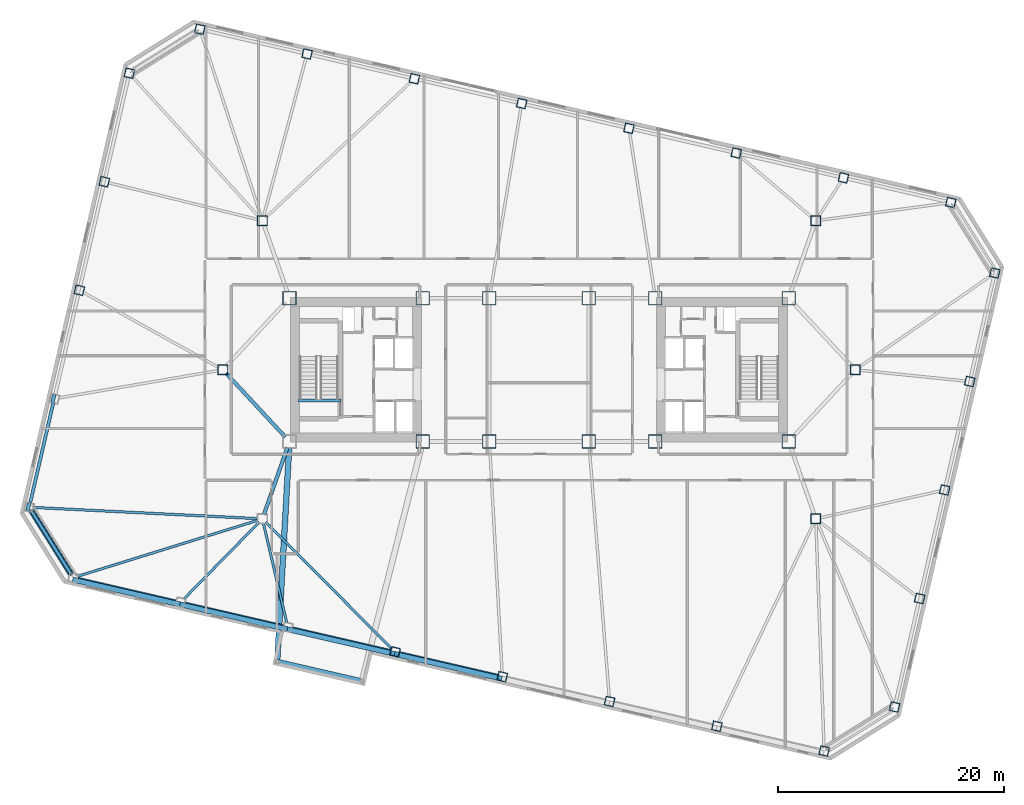
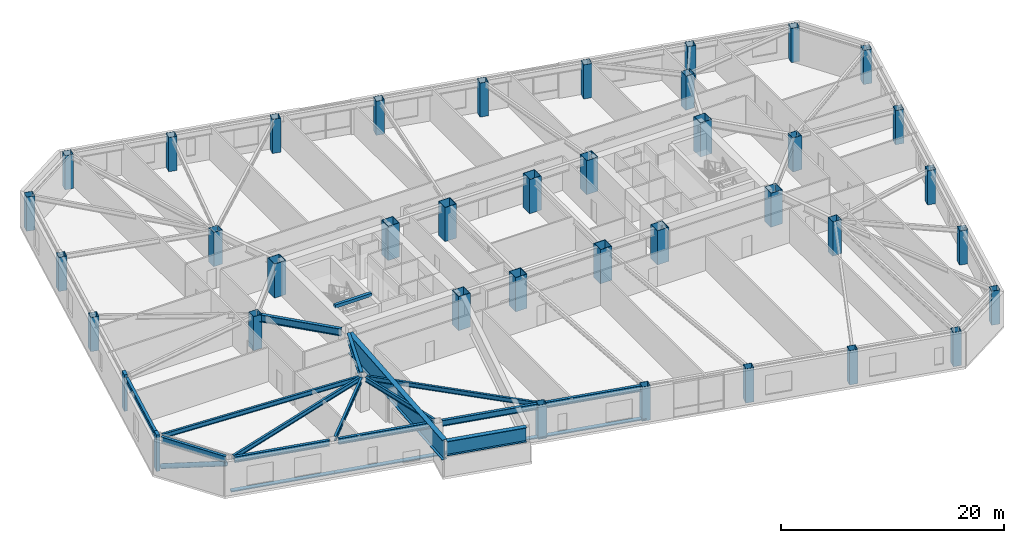
# One storey, part 2 of 18: 37 columns, 16 beams, 7 members.
"""IFC4 building model written with IfcOpenShell, lengths in metres."""

from ifc_helpers import new_model, si_unit, direction, frame, origin, origin_2d, place, context, subcontext, project, spatial, rectangle, hollow_rectangle, hollow_circle, i_section, extrude, material, material_profile, profile_set, type_object, element, save


model = new_model("IFC4")

# Units and contexts
model_context = context("Model", 3, precision=1e-05, world=origin(), true_north=direction((0.0, 1.0)))
body_context = subcontext(model_context, "Body", "Model", "MODEL_VIEW")
ifc_project = project(units=[si_unit("LENGTHUNIT", "METRE"), si_unit("AREAUNIT", "SQUARE_METRE"), si_unit("VOLUMEUNIT", "CUBIC_METRE"), si_unit("PLANEANGLEUNIT", "RADIAN"), si_unit("MASSUNIT", "GRAM", prefix="KILO")], contexts=[model_context])

# Site, building, storey
site_placement = place(None, origin())
site = spatial("IfcSite", under=ifc_project, at=site_placement, CompositionType="ELEMENT")
building_placement = place(site_placement, origin())
building = spatial("IfcBuilding", under=site, at=building_placement, Name="Tavrogorsk Clinical Tower", CompositionType="ELEMENT")
storey_placement = place(building_placement, frame((0.0, 0.0, 47.39990234375)))
storey = spatial("IfcBuildingStorey", under=building, at=storey_placement, Name="L09", CompositionType="ELEMENT", Elevation=47.39990234375)

# Columns
ifc_material_1 = material(Name="Structural steel S440", Category="steel")
ifc_material_profile_1 = material_profile(ifc_material_1, hollow_rectangle(XDim=1.199951171875, YDim=1.199951171875, WallThickness=0.050048828125, at=origin_2d()), Name="BOX-1200x1200x50")
ifc_profile_set_1 = profile_set([ifc_material_profile_1], Name="Structural steel S440")
column_type_1 = type_object("IfcColumnType", Name="MegaCol_BOX1200", PredefinedType="COLUMN", material=ifc_profile_set_1)
for number, where, z_axis, x_axis, name in (
    (1, (-22.10009765625, 6.35009765625, 0.0), (0.0, 0.0, 1.0), (1.0, 0.0, 0.0), "L09 Mega Column MC-W2"),
    (2, (-10.300048828125, -6.35009765625, 0.0), (0.0, 0.0, 1.0), (1.0, 0.0, 0.0), "L09 Mega Column MC-W3"),
    (3, (-10.300048828125, 6.35009765625, 0.0), (0.0, 0.0, 1.0), (1.0, 0.0, 0.0), "L09 Mega Column MC-W4"),
    (4, (10.300048828125, -6.35009765625, 0.0), (0.0, 0.0, 1.0), (1.0, 0.0, 0.0), "L09 Mega Column MC-E1"),
    (5, (10.300048828125, 6.35009765625, 0.0), (0.0, 0.0, 1.0), (1.0, 0.0, 0.0), "L09 Mega Column MC-E2"),
    (6, (22.10009765625, -6.35009765625, 0.0), (0.0, 0.0, 1.0), (1.0, 0.0, 0.0), "L09 Mega Column MC-E3"),
    (7, (22.10009765625, 6.35009765625, 0.0), (0.0, 0.0, 1.0), (1.0, 0.0, 0.0), "L09 Mega Column MC-E4"),
    (8, (-4.39990234375, -6.35009765625, 0.0), (0.0, 0.0, 1.0), (1.0, 0.0, 0.0), "L09 Mega Column MC-C1"),
    (9, (4.39990234375, -6.35009765625, 0.0), (0.0, 0.0, 1.0), (1.0, 0.0, 0.0), "L09 Mega Column MC-C2"),
    (10, (-4.39990234375, 6.35009765625, 0.0), (0.0, 0.0, 1.0), (1.0, 0.0, 0.0), "L09 Mega Column MC-C3"),
    (11, (4.39990234375, 6.35009765625, 0.0), (0.0, 0.0, 1.0), (1.0, 0.0, 0.0), "L09 Mega Column MC-C4"),
):
    element("IfcColumn", number, at=place(storey_placement, frame(where, z_axis=z_axis, x_axis=x_axis)), inside=storey, type_object=column_type_1, Name=name, PredefinedType="COLUMN", context=body_context, shape_type="SweptSolid", body=[
        extrude(hollow_rectangle(XDim=1.199951171875, YDim=1.199951171875, WallThickness=0.050048828125, at=origin_2d()), origin(), (0.0, 0.0, 1.0), 3.739990234375),
    ])
ifc_material_2 = material(Name="Structural steel S440", Category="steel")
ifc_material_profile_2 = material_profile(ifc_material_2, hollow_rectangle(XDim=0.89990234375, YDim=0.89990234375, WallThickness=0.0400390625, at=origin_2d()), Name="BOX-900x900x40")
ifc_profile_set_2 = profile_set([ifc_material_profile_2], Name="Structural steel S440")
column_type_2 = type_object("IfcColumnType", Name="MegaCol_BOX900", PredefinedType="COLUMN", material=ifc_profile_set_2)
for number, where, z_axis, x_axis, name in (
    (12, (24.5, -13.199951171875, 0.0), (0.0, 0.0, 1.0), (1.0, 0.0, 0.0), "L09 Spine Pilotis Column MC-P2"),
    (13, (-24.5, 13.199951171875, 0.0), (0.0, 0.0, 1.0), (1.0, 0.0, 0.0), "L09 Spine Pilotis Column MC-P3"),
    (14, (24.5, 13.199951171875, 0.0), (0.0, 0.0, 1.0), (1.0, 0.0, 0.0), "L09 Spine Pilotis Column MC-P4"),
    (15, (-28.0, 0.0, 0.0), (0.0, 0.0, 1.0), (1.0, 0.0, 0.0), "L09 Spine Pilotis Column MC-P5"),
    (16, (28.0, 0.0, 0.0), (0.0, 0.0, 1.0), (1.0, 0.0, 0.0), "L09 Spine Pilotis Column MC-P6"),
):
    element("IfcColumn", number, at=place(storey_placement, frame(where, z_axis=z_axis, x_axis=x_axis)), inside=storey, type_object=column_type_2, Name=name, PredefinedType="COLUMN", context=body_context, shape_type="SweptSolid", body=[
        extrude(hollow_rectangle(XDim=0.89990234375, YDim=0.89990234375, WallThickness=0.0400390625, at=origin_2d()), origin(), (0.0, 0.0, 1.0), 3.739990234375),
    ])
ifc_material_3 = material(Name="Structural steel S440", Category="steel")
ifc_material_profile_3 = material_profile(ifc_material_3, hollow_rectangle(XDim=0.800048828125, YDim=0.800048828125, WallThickness=0.035888671875, at=origin_2d()), Name="BOX-800x800x36")
ifc_profile_set_3 = profile_set([ifc_material_profile_3], Name="Structural steel S440")
column_type_3 = type_object("IfcColumnType", Name="PerimCol_B1_BOX800", PredefinedType="COLUMN", material=ifc_profile_set_3)
for number, where, z_axis, x_axis, name in (
    (17, (-12.755126953125, -24.98486328125, 0.0), (0.0, 0.0, 1.0), (0.974370064785, -0.224951054344, 0.0), "L09 Perimeter Column S4"),
    (18, (-3.25634765625, -27.177734375, 0.0), (0.0, 0.0, 1.0), (0.974370064785, -0.224951054344, 0.0), "L09 Perimeter Column S5"),
    (19, (6.2421875, -29.37060546875, 0.0), (0.0, 0.0, 1.0), (0.974370064785, -0.224951054344, 0.0), "L09 Perimeter Column S6"),
    (20, (15.740966796875, -31.563720703125, 0.0), (0.0, 0.0, 1.0), (0.974370064785, -0.224951054344, 0.0), "L09 Perimeter Column S7"),
    (21, (25.23974609375, -33.756591796875, 0.0), (0.0, 0.0, 1.0), (0.974370064785, -0.224951054344, 0.0), "L09 Perimeter Column S8"),
    (22, (36.451416015625, 14.805908203125, 0.0), (0.0, 0.0, 1.0), (0.974370064785, -0.224951054344, 0.0), "L09 Perimeter Column N1"),
    (23, (26.952392578125, 16.998779296875, 0.0), (0.0, 0.0, 1.0), (0.974370064785, -0.224951054344, 0.0), "L09 Perimeter Column N2"),
    (24, (17.453857421875, 19.19189453125, 0.0), (0.0, 0.0, 1.0), (0.974370064785, -0.224951054344, 0.0), "L09 Perimeter Column N3"),
    (25, (7.955078125, 21.384765625, 0.0), (0.0, 0.0, 1.0), (0.974370064785, -0.224951054344, 0.0), "L09 Perimeter Column N4"),
    (26, (-1.543701171875, 23.577880859375, 0.0), (0.0, 0.0, 1.0), (0.974370064785, -0.224951054344, 0.0), "L09 Perimeter Column N5"),
    (27, (-11.042236328125, 25.770751953125, 0.0), (0.0, 0.0, 1.0), (0.974370064785, -0.224951054344, 0.0), "L09 Perimeter Column N6"),
    (28, (-20.541015625, 27.963623046875, 0.0), (0.0, 0.0, 1.0), (0.974370064785, -0.224951054344, 0.0), "L09 Perimeter Column N7"),
    (29, (-30.039794921875, 30.156494140625, 0.0), (0.0, 0.0, 1.0), (0.974370064785, -0.224951054344, 0.0), "L09 Perimeter Column N8"),
    (30, (31.476318359375, -29.859619140625, 0.0), (0.0, 0.0, 1.0), (0.974370064785, -0.224951054344, 0.0), "L09 Perimeter Column E1"),
    (31, (33.694091796875, -20.25244140625, 0.0), (0.0, 0.0, 1.0), (0.974370064785, -0.224951054344, 0.0), "L09 Perimeter Column E2"),
    (32, (35.912109375, -10.64501953125, 0.0), (0.0, 0.0, 1.0), (0.974370064785, -0.224951054344, 0.0), "L09 Perimeter Column E3"),
    (33, (38.130126953125, -1.037841796875, 0.0), (0.0, 0.0, 1.0), (0.974370064785, -0.224951054344, 0.0), "L09 Perimeter Column E4"),
    (34, (40.348388671875, 8.569580078125, 0.0), (0.0, 0.0, 1.0), (0.974370064785, -0.224951054344, 0.0), "L09 Perimeter Column E5"),
    (35, (-36.276123046875, 26.259765625, 0.0), (0.0, 0.0, 1.0), (0.974370064785, -0.224951054344, 0.0), "L09 Perimeter Column W1"),
    (36, (-38.494140625, 16.65234375, 0.0), (0.0, 0.0, 1.0), (0.974370064785, -0.224951054344, 0.0), "L09 Perimeter Column W2"),
    (37, (-40.712158203125, 7.045166015625, 0.0), (0.0, 0.0, 1.0), (0.974370064785, -0.224951054344, 0.0), "L09 Perimeter Column W3"),
):
    element("IfcColumn", number, at=place(storey_placement, frame(where, z_axis=z_axis, x_axis=x_axis)), inside=storey, type_object=column_type_3, Name=name, PredefinedType="COLUMN", context=body_context, shape_type="SweptSolid", body=[
        extrude(hollow_rectangle(XDim=0.800048828125, YDim=0.800048828125, WallThickness=0.035888671875, at=origin_2d()), origin(), (0.0, 0.0, 1.0), 3.739990234375),
    ])

# Members
ifc_material_4 = material(Name="Anodised aluminium alloy AW-6063", Category="aluminium")
ifc_material_profile_4 = material_profile(ifc_material_4, rectangle(XDim=0.449951171875, YDim=0.1201171875, at=origin_2d()), Name="ALU-SUNSHADE-450x120")
ifc_profile_set_4 = profile_set([ifc_material_profile_4], Name="Anodised aluminium alloy AW-6063")
member_type_1 = type_object("IfcMemberType", Name="ChicagoSunshade_450x120", PredefinedType="USERDEFINED", material=ifc_profile_set_4)
member_1_placement = place(storey_placement, frame((-41.291748046875, -18.581298828125, 0.18017578125), z_axis=(0.974366709214, -0.224965588425, 0.0), x_axis=(0.224965588425, 0.974366709214, 0.0)))
element("IfcMember", 38, at=member_1_placement, inside=storey, type_object=member_type_1, Name="L09 South Aluminium Sunshade S1", ObjectType="SUNSHADE", PredefinedType="USERDEFINED", context=body_context, shape_type="SweptSolid", body=[
    extrude(rectangle(XDim=0.449951171875, YDim=0.1201171875, at=origin_2d()), origin(), (0.0, 0.0, 1.0), 9.748779296875),
])
member_2_placement = place(storey_placement, frame((-31.79296875, -20.7744140625, 0.18017578125), z_axis=(0.974370931236, -0.2249473013, 0.0), x_axis=(0.2249473013, 0.974370931236, 0.0)))
element("IfcMember", 39, at=member_2_placement, inside=storey, type_object=member_type_1, Name="L09 South Aluminium Sunshade S2", ObjectType="SUNSHADE", PredefinedType="USERDEFINED", context=body_context, shape_type="SweptSolid", body=[
    extrude(rectangle(XDim=0.449951171875, YDim=0.1201171875, at=origin_2d()), origin(), (0.0, 0.0, 1.0), 9.748291015625),
])
member_3_placement = place(storey_placement, frame((-22.29443359375, -22.96728515625, 0.18017578125), z_axis=(0.97437219846, -0.224941812182, 0.0), x_axis=(0.224941812182, 0.97437219846, 0.0)))
element("IfcMember", 40, at=member_3_placement, inside=storey, type_object=member_type_1, Name="L09 South Aluminium Sunshade S3", ObjectType="SUNSHADE", PredefinedType="USERDEFINED", context=body_context, shape_type="SweptSolid", body=[
    extrude(rectangle(XDim=0.449951171875, YDim=0.1201171875, at=origin_2d()), origin(), (0.0, 0.0, 1.0), 9.74853515625),
])
member_4_placement = place(storey_placement, frame((-12.795654296875, -25.16015625, 0.18017578125), z_axis=(0.974366709214, -0.224965588425, 0.0), x_axis=(0.224965588425, 0.974366709214, 0.0)))
element("IfcMember", 41, at=member_4_placement, inside=storey, type_object=member_type_1, Name="L09 South Aluminium Sunshade S4", ObjectType="SUNSHADE", PredefinedType="USERDEFINED", context=body_context, shape_type="SweptSolid", body=[
    extrude(rectangle(XDim=0.449951171875, YDim=0.1201171875, at=origin_2d()), origin(), (0.0, 0.0, 1.0), 9.748779296875),
])
ifc_material_5 = material(Name="Structural steel S440", Category="steel")
ifc_material_profile_5 = material_profile(ifc_material_5, hollow_circle(Radius=0.25390625, WallThickness=0.02001953125, at=origin_2d()), Name="CHS-508x20")
ifc_profile_set_5 = profile_set([ifc_material_profile_5], Name="Structural steel S440")
member_type_2 = type_object("IfcMemberType", Name="ExoBrace_CHS508", PredefinedType="BRACE", material=ifc_profile_set_5)
member_5_placement = place(storey_placement, frame((-44.94580078125, -12.49365234375, 0.442626953125), z_axis=(0.496582474856, -0.794677778576, 0.349131886118), x_axis=(0.84804201203, 0.529929000746, 0.0)))
element("IfcMember", 42, at=member_5_placement, inside=storey, type_object=member_type_2, Name="L09 Corner Exoskeleton Brace W5-S1", PredefinedType="BRACE", context=body_context, shape_type="SweptSolid", body=[
    extrude(hollow_circle(Radius=0.25390625, WallThickness=0.02001953125, at=origin_2d()), origin(), (0.0, 0.0, 1.0), 7.031982421875),
])

# Beams
ifc_material_6 = material(Name="Structural steel S355", Category="steel")
ifc_material_profile_6 = material_profile(ifc_material_6, i_section(OverallWidth=0.219970703125, OverallDepth=0.5, WebThickness=0.012939453125, FlangeThickness=0.02001953125, at=origin_2d()), Name="B-500x220x13x20")
ifc_profile_set_6 = profile_set([ifc_material_profile_6], Name="Structural steel S355")
beam_type_1 = type_object("IfcBeamType", Name="FloorBeam_B500", PredefinedType="BEAM", material=ifc_profile_set_6)
beam_1_placement = place(storey_placement, frame((-24.8916015625, -13.32177734375, 3.489990234375), z_axis=(-0.954946638684, -0.296777555193, 0.0), x_axis=(0.296777555193, -0.954946638684, 0.0)))
element("IfcBeam", 43, at=beam_1_placement, inside=storey, type_object=beam_type_1, Name="L09 Radial Floor Beam S1", PredefinedType="BEAM", context=body_context, shape_type="SweptSolid", body=[
    extrude(i_section(OverallWidth=0.219970703125, OverallDepth=0.5, WebThickness=0.012939453125, FlangeThickness=0.02001953125, at=origin_2d()), origin(), (0.0, 0.0, 1.0), 16.723388671875),
])
beam_2_placement = place(storey_placement, frame((-24.787109375, -13.492919921875, 3.489990234375), z_axis=(-0.699997226081, -0.714145561828, 0.0), x_axis=(0.714145561828, -0.699997226081, 0.0)))
element("IfcBeam", 44, at=beam_2_placement, inside=storey, type_object=beam_type_1, Name="L09 Radial Floor Beam S2", PredefinedType="BEAM", context=body_context, shape_type="SweptSolid", body=[
    extrude(i_section(OverallWidth=0.219970703125, OverallDepth=0.5, WebThickness=0.012939453125, FlangeThickness=0.02001953125, at=origin_2d()), origin(), (0.0, 0.0, 1.0), 9.54248046875),
])
beam_3_placement = place(storey_placement, frame((-24.406494140625, -13.59912109375, 3.489990234375), z_axis=(0.227996771429, -0.973661888038, 0.0), x_axis=(0.973661888038, 0.227996771429, 0.0)))
element("IfcBeam", 45, at=beam_3_placement, inside=storey, type_object=beam_type_1, Name="L09 Radial Floor Beam S3", PredefinedType="BEAM", context=body_context, shape_type="SweptSolid", body=[
    extrude(i_section(OverallWidth=0.219970703125, OverallDepth=0.5, WebThickness=0.012939453125, FlangeThickness=0.02001953125, at=origin_2d()), origin(), (0.0, 0.0, 1.0), 9.033447265625),
])
beam_4_placement = place(storey_placement, frame((-24.210693359375, -13.490478515625, 3.489990234375), z_axis=(0.705909757155, -0.70830178226, 0.0), x_axis=(0.70830178226, 0.705909757155, 0.0)))
element("IfcBeam", 46, at=beam_4_placement, inside=storey, type_object=beam_type_1, Name="L09 Radial Floor Beam S4", PredefinedType="BEAM", context=body_context, shape_type="SweptSolid", body=[
    extrude(i_section(OverallWidth=0.219970703125, OverallDepth=0.5, WebThickness=0.012939453125, FlangeThickness=0.02001953125, at=origin_2d()), origin(), (0.0, 0.0, 1.0), 15.820068359375),
])
beam_5_placement = place(storey_placement, frame((-24.909423828125, -13.179443359375, 3.489990234375), z_axis=(-0.998757515428, 0.049833978136, 0.0), x_axis=(-0.049833978136, -0.998757515428, 0.0)))
element("IfcBeam", 47, at=beam_5_placement, inside=storey, type_object=beam_type_1, Name="L09 Radial Floor Beam W5", PredefinedType="BEAM", context=body_context, shape_type="SweptSolid", body=[
    extrude(i_section(OverallWidth=0.219970703125, OverallDepth=0.5, WebThickness=0.012939453125, FlangeThickness=0.02001953125, at=origin_2d()), origin(), (0.0, 0.0, 1.0), 19.85595703125),
])

# Members
ifc_material_7 = material(Name="Precast concrete B45 with limestone cladding", Category="masonry")
ifc_material_profile_7 = material_profile(ifc_material_7, rectangle(XDim=0.320068359375, YDim=0.719970703125, at=origin_2d()), Name="LIMESTONE-FIN-320x720")
ifc_profile_set_7 = profile_set([ifc_material_profile_7], Name="Precast concrete B45 with limestone cladding")
member_type_3 = type_object("IfcMemberType", Name="LimestonePleatFin_320x720", PredefinedType="USERDEFINED", material=ifc_profile_set_7)
for number, where, z_axis, x_axis, name in (
    (48, (-43.008056640625, -2.544189453125, 0.0), (0.0, 0.0, 1.0), (0.974370064785, -0.224951054344, 0.0), "L09 W Pleated Stone Fin 3"),
    (49, (-45.226318359375, -12.151611328125, 0.0), (0.0, 0.0, 1.0), (0.974370064785, -0.224951054344, 0.0), "L09 W Pleated Stone Fin 4"),
):
    element("IfcMember", number, at=place(storey_placement, frame(where, z_axis=z_axis, x_axis=x_axis)), inside=storey, type_object=member_type_3, Name=name, ObjectType="FIN", PredefinedType="USERDEFINED", context=body_context, shape_type="SweptSolid", body=[
        extrude(rectangle(XDim=0.320068359375, YDim=0.719970703125, at=origin_2d()), origin(), (0.0, 0.0, 1.0), 4.0),
    ])

# Beams
ifc_material_8 = material(Name="Structural steel S390", Category="steel")
ifc_material_profile_8 = material_profile(ifc_material_8, i_section(OverallWidth=0.320068359375, OverallDepth=0.800048828125, WebThickness=0.02001953125, FlangeThickness=0.033935546875, at=origin_2d()), Name="B-800x320x20x34")
ifc_profile_set_8 = profile_set([ifc_material_profile_8], Name="Structural steel S390")
beam_type_2 = type_object("IfcBeamType", Name="PrimaryGirder_B800", PredefinedType="USERDEFINED", material=ifc_profile_set_8)
beam_6_placement = place(storey_placement, frame((-24.364501953125, -12.81298828125, 3.340087890625), z_axis=(0.330668611543, 0.943746930771, 0.0), x_axis=(-0.943746930771, 0.330668611543, 0.0)))
element("IfcBeam", 50, at=beam_6_placement, inside=storey, type_object=beam_type_2, Name="L09 Spine Link Girder OPG-1", ObjectType="GIRDER", PredefinedType="USERDEFINED", context=body_context, shape_type="SweptSolid", body=[
    extrude(i_section(OverallWidth=0.320068359375, OverallDepth=0.800048828125, WebThickness=0.02001953125, FlangeThickness=0.033935546875, at=origin_2d()), origin(), (0.0, 0.0, 1.0), 6.288330078125),
])
beam_7_placement = place(storey_placement, frame((-27.720947265625, -0.30029296875, 3.340087890625), z_axis=(0.680671250221, -0.732589004233, 0.0), x_axis=(0.732589004233, 0.680671250221, 0.0)))
element("IfcBeam", 51, at=beam_7_placement, inside=storey, type_object=beam_type_2, Name="L09 Spine Link Girder OPG-5", ObjectType="GIRDER", PredefinedType="USERDEFINED", context=body_context, shape_type="SweptSolid", body=[
    extrude(i_section(OverallWidth=0.320068359375, OverallDepth=0.800048828125, WebThickness=0.02001953125, FlangeThickness=0.033935546875, at=origin_2d()), origin(), (0.0, 0.0, 1.0), 7.697998046875),
])
ifc_material_9 = material(Name="Structural steel S390", Category="steel")
ifc_material_profile_9 = material_profile(ifc_material_9, i_section(OverallWidth=0.280029296875, OverallDepth=0.64990234375, WebThickness=0.01611328125, FlangeThickness=0.02490234375, at=origin_2d()), Name="B-650x280x16x25")
ifc_profile_set_9 = profile_set([ifc_material_profile_9], Name="Structural steel S390")
beam_type_3 = type_object("IfcBeamType", Name="SpandrelBeam_B650", PredefinedType="SPANDREL", material=ifc_profile_set_9)
for number, where, z_axis, x_axis, name in (
    (52, (-40.853759765625, -18.497802734375, 3.4150390625), (0.974372766602, -0.224939351168, 0.0), (0.224939351168, 0.974372766602, 0.0), "L09 Perimeter Spandrel S1-S2"),
    (53, (-31.35498046875, -20.690673828125, 3.4150390625), (0.974366775889, -0.224965299645, 0.0), (0.224965299645, 0.974366775889, 0.0), "L09 Perimeter Spandrel S2-S3"),
    (54, (-21.8564453125, -22.8837890625, 3.4150390625), (0.974372766602, -0.224939351168, 0.0), (0.224939351168, 0.974372766602, 0.0), "L09 Perimeter Spandrel S3-S4"),
    (55, (-12.357666015625, -25.07666015625, 3.4150390625), (0.974372766602, -0.224939351168, 0.0), (0.224939351168, 0.974372766602, 0.0), "L09 Perimeter Spandrel S4-S5"),
):
    element("IfcBeam", number, at=place(storey_placement, frame(where, z_axis=z_axis, x_axis=x_axis)), inside=storey, type_object=beam_type_3, Name=name, PredefinedType="SPANDREL", context=body_context, shape_type="SweptSolid", body=[
        extrude(i_section(OverallWidth=0.280029296875, OverallDepth=0.64990234375, WebThickness=0.01611328125, FlangeThickness=0.02490234375, at=origin_2d()), origin(), (0.0, 0.0, 1.0), 8.9326171875),
    ])
beam_8_placement = place(storey_placement, frame((-43.02197265625, -2.959716796875, 3.4150390625), z_axis=(-0.224971881043, -0.974365256328, 0.0), x_axis=(0.974365256328, -0.224971881043, 0.0)))
element("IfcBeam", 56, at=beam_8_placement, inside=storey, type_object=beam_type_3, Name="L09 Perimeter Spandrel W4-W5", PredefinedType="SPANDREL", context=body_context, shape_type="SweptSolid", body=[
    extrude(i_section(OverallWidth=0.280029296875, OverallDepth=0.64990234375, WebThickness=0.01611328125, FlangeThickness=0.02490234375, at=origin_2d()), origin(), (0.0, 0.0, 1.0), 9.044189453125),
])
beam_9_placement = place(storey_placement, frame((-44.93212890625, -12.515380859375, 3.4150390625), z_axis=(0.529908311255, -0.848054940238, 0.0), x_axis=(0.848054940238, 0.529908311255, 0.0)))
element("IfcBeam", 57, at=beam_9_placement, inside=storey, type_object=beam_type_3, Name="L09 Perimeter Spandrel W5-S1", PredefinedType="SPANDREL", context=body_context, shape_type="SweptSolid", body=[
    extrude(i_section(OverallWidth=0.280029296875, OverallDepth=0.64990234375, WebThickness=0.01611328125, FlangeThickness=0.02490234375, at=origin_2d()), origin(), (0.0, 0.0, 1.0), 6.5380859375),
])
ifc_material_10 = material(Name="Concrete B60", Category="concrete")
ifc_material_profile_10 = material_profile(ifc_material_10, rectangle(XDim=0.300048828125, YDim=0.35009765625, at=origin_2d()), Name="RC-SHB-300x350")
ifc_profile_set_10 = profile_set([ifc_material_profile_10], Name="Concrete B60")
beam_type_4 = type_object("IfcBeamType", Name="StairHeaderBeam_RC300x350", PredefinedType="BEAM", material=ifc_profile_set_10)
beam_10_placement = place(storey_placement, frame((-21.35009765625, -2.719970703125, 3.8251953125), z_axis=(1.0, 0.0, 0.0), x_axis=(0.0, 1.0, 0.0)))
element("IfcBeam", 58, at=beam_10_placement, inside=storey, type_object=beam_type_4, Name="L10 ST-W Landing Header Beam", PredefinedType="BEAM", context=body_context, shape_type="SweptSolid", body=[
    extrude(rectangle(XDim=0.300048828125, YDim=0.35009765625, at=origin_2d()), origin(), (0.0, 0.0, 1.0), 3.800048828125),
])
ifc_material_11 = material(Name="Structural steel S440", Category="steel")
ifc_material_profile_11 = material_profile(ifc_material_11, i_section(OverallWidth=0.449951171875, OverallDepth=1.60009765625, WebThickness=0.031982421875, FlangeThickness=0.050048828125, at=origin_2d()), Name="DK-1600x450x32x50")
ifc_profile_set_11 = profile_set([ifc_material_profile_11], Name="Structural steel S440")
beam_type_5 = type_object("IfcBeamType", Name="TransferGirder_DK1600", PredefinedType="USERDEFINED", material=ifc_profile_set_11)
beam_11_placement = place(storey_placement, frame((-23.073486328125, -25.8662109375, 2.940185546875), z_axis=(0.974367472721, -0.224962281513, 0.0), x_axis=(0.224962281513, 0.974367472721, 0.0)))
element("IfcBeam", 59, at=beam_11_placement, inside=storey, type_object=beam_type_5, Name="L09 Day-Room Front Edge Beam DRB-01", ObjectType="GIRDER", PredefinedType="USERDEFINED", context=body_context, shape_type="SweptSolid", body=[
    extrude(i_section(OverallWidth=0.449951171875, OverallDepth=1.60009765625, WebThickness=0.031982421875, FlangeThickness=0.050048828125, at=origin_2d()), origin(), (0.0, 0.0, 1.0), 7.4599609375),
])
ifc_material_12 = material(Name="Structural steel S440", Category="steel")
ifc_material_profile_12 = material_profile(ifc_material_12, i_section(OverallWidth=0.5, OverallDepth=2.199951171875, WebThickness=0.035888671875, FlangeThickness=0.054931640625, at=origin_2d()), Name="DK-2200x500x36x55")
ifc_profile_set_12 = profile_set([ifc_material_profile_12], Name="Structural steel S440")
beam_type_6 = type_object("IfcBeamType", Name="TransferGirder_DK2200", PredefinedType="USERDEFINED", material=ifc_profile_set_12)
beam_12_placement = place(storey_placement, frame((-22.13134765625, -6.9091796875, 2.64013671875), z_axis=(-0.05586015232, -0.998438602711, 0.0), x_axis=(0.998438602711, -0.05586015232, 0.0)))
element("IfcBeam", 60, at=beam_12_placement, inside=storey, type_object=beam_type_6, Name="L09 Day-Room Cantilever Beam DRB-01-L", ObjectType="GIRDER", PredefinedType="USERDEFINED", context=body_context, shape_type="SweptSolid", body=[
    extrude(i_section(OverallWidth=0.5, OverallDepth=2.199951171875, WebThickness=0.035888671875, FlangeThickness=0.054931640625, at=origin_2d()), origin(), (0.0, 0.0, 1.0), 18.819580078125),
])

save(model, "model.ifc")
